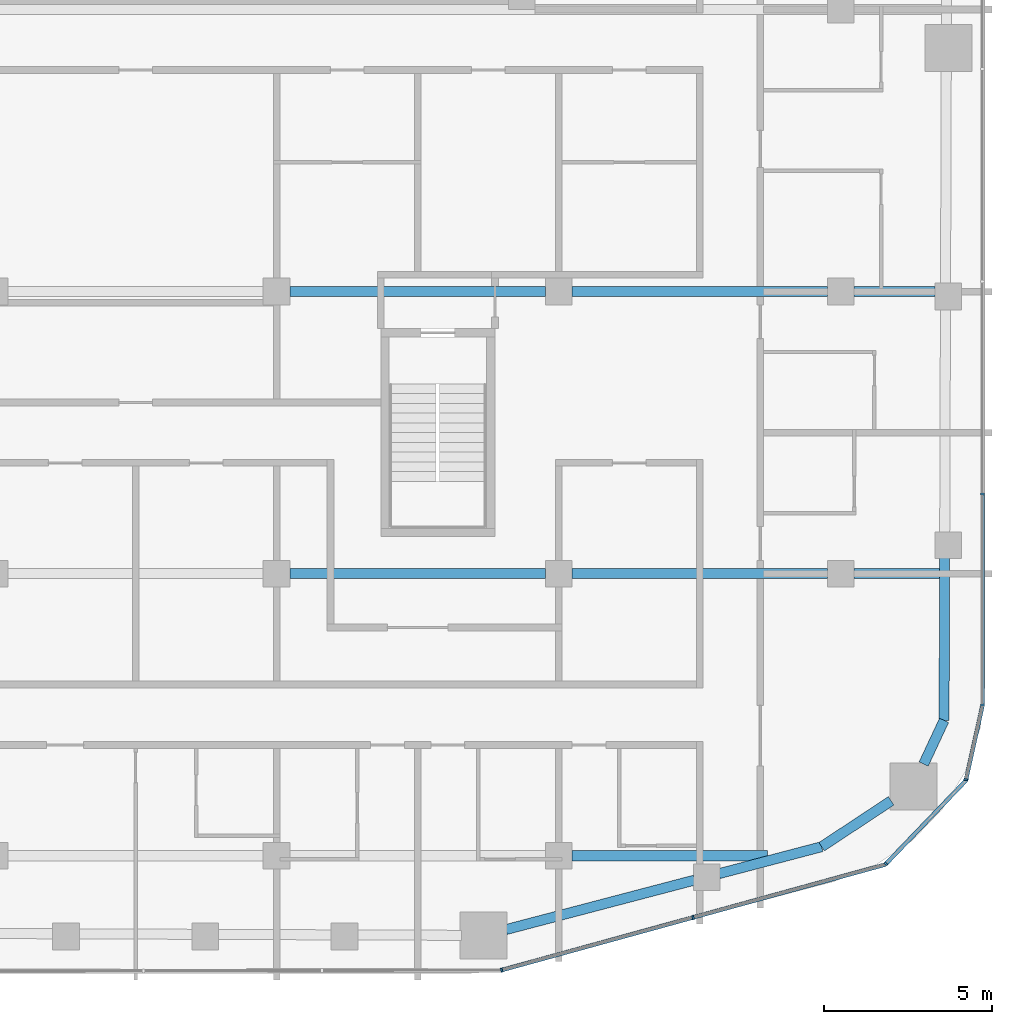
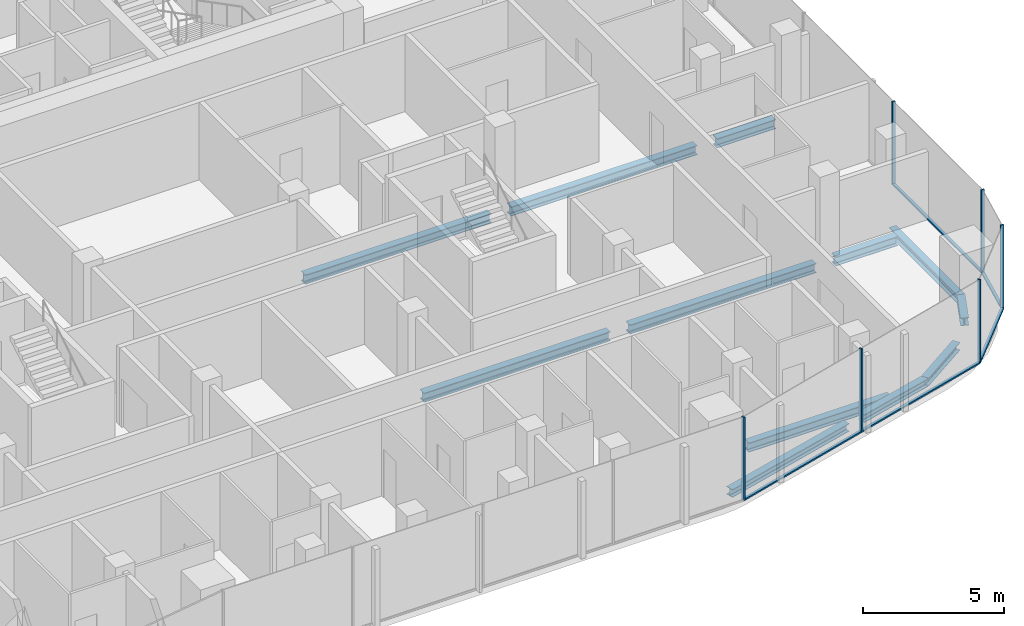
# One storey, part 6 of 22: 12 beams, 11 members, 4 elements without a shape of their own.
"""IFC4 building model written with IfcOpenShell, lengths in metres."""

from ifc_helpers import new_model, si_unit, direction, frame, origin, origin_2d, place, context, subcontext, project, spatial, rectangle, i_section, extrude, material, layer, layer_set, material_profile, profile_set, type_object, element, aggregate, save


model = new_model("IFC4")

# Units and contexts
model_context = context("Model", 3, precision=1e-05, world=origin(), true_north=direction((0.0, 1.0)))
body_context = subcontext(model_context, "Body", "Model", "MODEL_VIEW")
ifc_project = project(units=[si_unit("LENGTHUNIT", "METRE"), si_unit("AREAUNIT", "SQUARE_METRE"), si_unit("VOLUMEUNIT", "CUBIC_METRE"), si_unit("PLANEANGLEUNIT", "RADIAN"), si_unit("MASSUNIT", "GRAM", prefix="KILO")], contexts=[model_context])

# Site, building, storey
site_placement = place(None, origin())
site = spatial("IfcSite", under=ifc_project, at=site_placement, CompositionType="ELEMENT")
building_placement = place(site_placement, origin())
building = spatial("IfcBuilding", under=site, at=building_placement, Name="Marenta Gate Hotel Tower", CompositionType="ELEMENT")
storey_placement = place(building_placement, frame((0.0, 0.0, 223.699951171875)))
storey = spatial("IfcBuildingStorey", under=building, at=storey_placement, Name="L52", CompositionType="ELEMENT", Elevation=223.699951171875)

# Beams
ifc_material_1 = material(Name="Steel S355", Category="steel")
ifc_material_profile_1 = material_profile(ifc_material_1, i_section(OverallWidth=0.300048828125, OverallDepth=0.340087890625, WebThickness=0.011962890625, FlangeThickness=0.021484375, FilletRadius=0.027099609375, at=origin_2d()), Name="HEB 340")
ifc_profile_set_1 = profile_set([ifc_material_profile_1], Name="Steel S355")
beam_type_1 = type_object("IfcBeamType", Name="Edge beam HEB 340", PredefinedType="SPANDREL", material=ifc_profile_set_1)
beam_1_placement = place(storey_placement, frame((24.09130859375, -16.31201171875, -0.429931640625), z_axis=(-0.003318732666, -0.999994492992, 0.0), x_axis=(0.999994492992, -0.003318732666, 0.0)))
element("IfcBeam", 1, at=beam_1_placement, inside=storey, type_object=beam_type_1, Name="L52-EB-27", PredefinedType="SPANDREL", context=body_context, shape_type="SweptSolid", body=[
    extrude(i_section(OverallWidth=0.300048828125, OverallDepth=0.340087890625, WebThickness=0.011962890625, FlangeThickness=0.021484375, FilletRadius=0.027099609375, at=origin_2d()), origin(), (0.0, 0.0, 1.0), 4.855224609375),
])
beam_2_placement = place(storey_placement, frame((24.0751953125, -21.167236328125, -0.429931640625), z_axis=(-0.423341112024, -0.905970365338, 0.0), x_axis=(0.905970365338, -0.423341112024, 0.0)))
element("IfcBeam", 2, at=beam_2_placement, inside=storey, type_object=beam_type_1, Name="L52-EB-28", PredefinedType="SPANDREL", context=body_context, shape_type="SweptSolid", body=[
    extrude(i_section(OverallWidth=0.300048828125, OverallDepth=0.340087890625, WebThickness=0.011962890625, FlangeThickness=0.021484375, FilletRadius=0.027099609375, at=origin_2d()), origin(), (0.0, 0.0, 1.0), 1.437255859375),
])
beam_3_placement = place(storey_placement, frame((22.496337890625, -23.56640625, -0.429931640625), z_axis=(-0.834528740585, -0.550964410047, 0.0), x_axis=(0.550964410047, -0.834528740585, 0.0)))
element("IfcBeam", 3, at=beam_3_placement, inside=storey, type_object=beam_type_1, Name="L52-EB-29", PredefinedType="SPANDREL", context=body_context, shape_type="SweptSolid", body=[
    extrude(i_section(OverallWidth=0.300048828125, OverallDepth=0.340087890625, WebThickness=0.011962890625, FlangeThickness=0.021484375, FilletRadius=0.027099609375, at=origin_2d()), origin(), (0.0, 0.0, 1.0), 2.47705078125),
])
beam_4_placement = place(storey_placement, frame((20.42919921875, -24.93115234375, -0.429931640625), z_axis=(-0.967235227858, -0.253881889845, 0.0), x_axis=(0.253881889845, -0.967235227858, 0.0)))
element("IfcBeam", 4, at=beam_4_placement, inside=storey, type_object=beam_type_1, Name="L52-EB-30", PredefinedType="SPANDREL", context=body_context, shape_type="SweptSolid", body=[
    extrude(i_section(OverallWidth=0.300048828125, OverallDepth=0.340087890625, WebThickness=0.011962890625, FlangeThickness=0.021484375, FilletRadius=0.027099609375, at=origin_2d()), origin(), (0.0, 0.0, 1.0), 3.164794921875),
])
beam_5_placement = place(storey_placement, frame((16.6455078125, -25.92431640625, -0.429931640625), z_axis=(-0.96723496524, -0.253882890359, 0.0), x_axis=(0.253882890359, -0.96723496524, 0.0)))
element("IfcBeam", 5, at=beam_5_placement, inside=storey, type_object=beam_type_1, Name="L52-EB-31", PredefinedType="SPANDREL", context=body_context, shape_type="SweptSolid", body=[
    extrude(i_section(OverallWidth=0.300048828125, OverallDepth=0.340087890625, WebThickness=0.011962890625, FlangeThickness=0.021484375, FilletRadius=0.027099609375, at=origin_2d()), origin(), (0.0, 0.0, 1.0), 5.80810546875),
])
ifc_material_2 = material(Name="Steel S355", Category="steel")
ifc_material_profile_2 = material_profile(ifc_material_2, i_section(OverallWidth=0.300048828125, OverallDepth=0.39990234375, WebThickness=0.013427734375, FlangeThickness=0.02392578125, FilletRadius=0.027099609375, at=origin_2d()), Name="HEB 400")
ifc_profile_set_2 = profile_set([ifc_material_profile_2], Name="Steel S355")
beam_type_2 = type_object("IfcBeamType", Name="Girder HEB 400", PredefinedType="BEAM", material=ifc_profile_set_2)
beam_6_placement = place(storey_placement, frame((13.0, -25.199951171875, -0.4599609375), z_axis=(1.0, 0.0, 0.0), x_axis=(0.0, 1.0, 0.0)))
element("IfcBeam", 6, at=beam_6_placement, inside=storey, type_object=beam_type_2, Name="L52-GD-5", PredefinedType="BEAM", context=body_context, shape_type="SweptSolid", body=[
    extrude(i_section(OverallWidth=0.300048828125, OverallDepth=0.39990234375, WebThickness=0.013427734375, FlangeThickness=0.02392578125, FilletRadius=0.027099609375, at=origin_2d()), origin(), (0.0, 0.0, 1.0), 5.81396484375),
])
beam_7_placement = place(storey_placement, frame((4.60009765625, -16.800048828125, -0.4599609375), z_axis=(1.0, 0.0, 0.0), x_axis=(0.0, 1.0, 0.0)))
element("IfcBeam", 7, at=beam_7_placement, inside=storey, type_object=beam_type_2, Name="L52-GD-10", PredefinedType="BEAM", context=body_context, shape_type="SweptSolid", body=[
    extrude(i_section(OverallWidth=0.300048828125, OverallDepth=0.39990234375, WebThickness=0.013427734375, FlangeThickness=0.02392578125, FilletRadius=0.027099609375, at=origin_2d()), origin(), (0.0, 0.0, 1.0), 7.599853515625),
])
beam_8_placement = place(storey_placement, frame((13.0, -16.800048828125, -0.4599609375), z_axis=(1.0, 0.0, 0.0), x_axis=(0.0, 1.0, 0.0)))
element("IfcBeam", 8, at=beam_8_placement, inside=storey, type_object=beam_type_2, Name="L52-GD-11", PredefinedType="BEAM", context=body_context, shape_type="SweptSolid", body=[
    extrude(i_section(OverallWidth=0.300048828125, OverallDepth=0.39990234375, WebThickness=0.013427734375, FlangeThickness=0.02392578125, FilletRadius=0.027099609375, at=origin_2d()), origin(), (0.0, 0.0, 1.0), 7.60009765625),
])
beam_9_placement = place(storey_placement, frame((21.39990234375, -16.800048828125, -0.4599609375), z_axis=(1.0, 0.0, 0.0), x_axis=(0.0, 1.0, 0.0)))
element("IfcBeam", 9, at=beam_9_placement, inside=storey, type_object=beam_type_2, Name="L52-GD-12", PredefinedType="BEAM", context=body_context, shape_type="SweptSolid", body=[
    extrude(i_section(OverallWidth=0.300048828125, OverallDepth=0.39990234375, WebThickness=0.013427734375, FlangeThickness=0.02392578125, FilletRadius=0.027099609375, at=origin_2d()), origin(), (0.0, 0.0, 1.0), 2.539794921875),
])
beam_10_placement = place(storey_placement, frame((4.60009765625, -8.39990234375, -0.4599609375), z_axis=(1.0, 0.0, 0.0), x_axis=(0.0, 1.0, 0.0)))
element("IfcBeam", 10, at=beam_10_placement, inside=storey, type_object=beam_type_2, Name="L52-GD-17", PredefinedType="BEAM", context=body_context, shape_type="SweptSolid", body=[
    extrude(i_section(OverallWidth=0.300048828125, OverallDepth=0.39990234375, WebThickness=0.013427734375, FlangeThickness=0.02392578125, FilletRadius=0.027099609375, at=origin_2d()), origin(), (0.0, 0.0, 1.0), 7.599853515625),
])
beam_11_placement = place(storey_placement, frame((13.0, -8.39990234375, -0.4599609375), z_axis=(1.0, 0.0, 0.0), x_axis=(0.0, 1.0, 0.0)))
element("IfcBeam", 11, at=beam_11_placement, inside=storey, type_object=beam_type_2, Name="L52-GD-18", PredefinedType="BEAM", context=body_context, shape_type="SweptSolid", body=[
    extrude(i_section(OverallWidth=0.300048828125, OverallDepth=0.39990234375, WebThickness=0.013427734375, FlangeThickness=0.02392578125, FilletRadius=0.027099609375, at=origin_2d()), origin(), (0.0, 0.0, 1.0), 7.60009765625),
])
beam_12_placement = place(storey_placement, frame((21.39990234375, -8.39990234375, -0.4599609375), z_axis=(1.0, 0.0, 0.0), x_axis=(0.0, 1.0, 0.0)))
element("IfcBeam", 12, at=beam_12_placement, inside=storey, type_object=beam_type_2, Name="L52-GD-19", PredefinedType="BEAM", context=body_context, shape_type="SweptSolid", body=[
    extrude(i_section(OverallWidth=0.300048828125, OverallDepth=0.39990234375, WebThickness=0.013427734375, FlangeThickness=0.02392578125, FilletRadius=0.027099609375, at=origin_2d()), origin(), (0.0, 0.0, 1.0), 2.400146484375),
])

# Curtain wall, members
ifc_material_3 = material(Name="Tinted insulated glass in bronze anodised frame", Category="glass")
ifc_layer = layer(ifc_material_3, 0.1201171875)
ifc_layer_set = layer_set([ifc_layer], Name="Tinted insulated glass in bronze anodised frame")
curtain_wall_type = type_object("IfcCurtainWallType", Name="Tower unitised curtain wall CW1", PredefinedType="NOTDEFINED", material=ifc_layer_set)
curtain_wall_1_placement = place(storey_placement, origin())
curtain_wall_1 = element("IfcCurtainWall", 13, at=curtain_wall_1_placement, inside=storey, type_object=curtain_wall_type, Name="CW1 run G08", PredefinedType="NOTDEFINED")
ifc_material_4 = material(Name="Bronze anodised aluminium", Category="aluminium")
ifc_material_profile_3 = material_profile(ifc_material_4, rectangle(XDim=0.1201171875, YDim=0.06005859375, at=origin_2d()), Name="Mullion CW1 60x120 bronze anodised aluminium")
ifc_profile_set_3 = profile_set([ifc_material_profile_3], Name="Bronze anodised aluminium")
member_type_1 = type_object("IfcMemberType", Name="Mullion CW1 60x120 bronze anodised aluminium", PredefinedType="MULLION", material=ifc_profile_set_3)
member_1_placement = place(storey_placement, frame((10.902587890625, -28.6044921875, 0.0), z_axis=(0.0, 0.0, 1.0), x_axis=(-0.265293272675, 0.964167765212, 0.0)))
member_1 = element("IfcMember", 14, at=member_1_placement, type_object=member_type_1, Name="CW1 mullion 1", PredefinedType="MULLION", context=body_context, shape_type="SweptSolid", body=[
    extrude(rectangle(XDim=0.1201171875, YDim=0.06005859375, at=origin_2d()), origin(), (0.0, 0.0, 1.0), 3.60009765625),
])
member_2_placement = place(storey_placement, frame((16.599365234375, -27.037109375, 0.0), z_axis=(0.0, 0.0, 1.0), x_axis=(-0.265293272675, 0.964167765212, 0.0)))
member_2 = element("IfcMember", 15, at=member_2_placement, type_object=member_type_1, Name="CW1 mullion 2", PredefinedType="MULLION", context=body_context, shape_type="SweptSolid", body=[
    extrude(rectangle(XDim=0.1201171875, YDim=0.06005859375, at=origin_2d()), origin(), (0.0, 0.0, 1.0), 3.60009765625),
])

# Curtain wall, member
curtain_wall_2_placement = place(storey_placement, origin())
curtain_wall_2 = element("IfcCurtainWall", 16, at=curtain_wall_2_placement, inside=storey, type_object=curtain_wall_type, Name="CW1 run G09", PredefinedType="NOTDEFINED")
member_3_placement = place(storey_placement, frame((22.345458984375, -25.43994140625, 0.0), z_axis=(0.0, 0.0, 1.0), x_axis=(-0.72137172224, 0.692548076564, 0.0)))
member_3 = element("IfcMember", 17, at=member_3_placement, type_object=member_type_1, Name="CW1 mullion 1", PredefinedType="MULLION", context=body_context, shape_type="SweptSolid", body=[
    extrude(rectangle(XDim=0.1201171875, YDim=0.06005859375, at=origin_2d()), origin(), (0.0, 0.0, 1.0), 3.60009765625),
])

curtain_wall_3_placement = place(storey_placement, origin())
curtain_wall_3 = element("IfcCurtainWall", 18, at=curtain_wall_3_placement, inside=storey, type_object=curtain_wall_type, Name="CW1 run G10", PredefinedType="NOTDEFINED")
member_4_placement = place(storey_placement, frame((24.726806640625, -22.937255859375, 0.0), z_axis=(0.0, 0.0, 1.0), x_axis=(-0.97620669183, 0.216842096529, 0.0)))
member_4 = element("IfcMember", 19, at=member_4_placement, type_object=member_type_1, Name="CW1 mullion 1", PredefinedType="MULLION", context=body_context, shape_type="SweptSolid", body=[
    extrude(rectangle(XDim=0.1201171875, YDim=0.06005859375, at=origin_2d()), origin(), (0.0, 0.0, 1.0), 3.60009765625),
])

# Curtain wall, members
curtain_wall_4_placement = place(storey_placement, origin())
curtain_wall_4 = element("IfcCurtainWall", 20, at=curtain_wall_4_placement, inside=storey, type_object=curtain_wall_type, Name="CW1 run G11", PredefinedType="NOTDEFINED")
member_5_placement = place(storey_placement, frame((25.214111328125, -20.7138671875, 0.0), z_axis=(0.0, 0.0, 1.0), x_axis=(-1.0, 0.0, 0.0)))
member_5 = element("IfcMember", 21, at=member_5_placement, type_object=member_type_1, Name="CW1 mullion 1", PredefinedType="MULLION", context=body_context, shape_type="SweptSolid", body=[
    extrude(rectangle(XDim=0.1201171875, YDim=0.06005859375, at=origin_2d()), origin(), (0.0, 0.0, 1.0), 3.60009765625),
])
member_6_placement = place(storey_placement, frame((25.214111328125, -14.42138671875, 0.0), z_axis=(0.0, 0.0, 1.0), x_axis=(-1.0, 0.0, 0.0)))
member_6 = element("IfcMember", 22, at=member_6_placement, type_object=member_type_1, Name="CW1 mullion 2", PredefinedType="MULLION", context=body_context, shape_type="SweptSolid", body=[
    extrude(rectangle(XDim=0.1201171875, YDim=0.06005859375, at=origin_2d()), origin(), (0.0, 0.0, 1.0), 3.60009765625),
])

# Member
ifc_material_5 = material(Name="Bronze anodised aluminium", Category="aluminium")
ifc_material_profile_4 = material_profile(ifc_material_5, rectangle(XDim=0.1201171875, YDim=0.06005859375, at=origin_2d()), Name="Transom CW1 60x120 bronze anodised aluminium")
ifc_profile_set_4 = profile_set([ifc_material_profile_4], Name="Bronze anodised aluminium")
member_type_2 = type_object("IfcMemberType", Name="Transom CW1 60x120 bronze anodised aluminium", PredefinedType="USERDEFINED", material=ifc_profile_set_4)
member_7_placement = place(storey_placement, frame((10.931640625, -28.5966796875, 0.030029296875), z_axis=(0.964166959812, 0.265296199758, 0.0), x_axis=(-0.265296199758, 0.964166959812, 0.0)))
member_7 = element("IfcMember", 23, at=member_7_placement, type_object=member_type_2, Name="CW1 transom 1.1", ObjectType="TRANSOM", PredefinedType="USERDEFINED", context=body_context, shape_type="SweptSolid", body=[
    extrude(rectangle(XDim=0.1201171875, YDim=0.06005859375, at=origin_2d()), origin(), (0.0, 0.0, 1.0), 5.84814453125),
])

member_8_placement = place(storey_placement, frame((16.628173828125, -27.029052734375, 0.030029296875), z_axis=(0.964169199953, 0.265288058274, 0.0), x_axis=(-0.265288058274, 0.964169199953, 0.0)))
member_8 = element("IfcMember", 24, at=member_8_placement, type_object=member_type_2, Name="CW1 transom 2.1", ObjectType="TRANSOM", PredefinedType="USERDEFINED", context=body_context, shape_type="SweptSolid", body=[
    extrude(rectangle(XDim=0.1201171875, YDim=0.06005859375, at=origin_2d()), origin(), (0.0, 0.0, 1.0), 5.908203125),
])

aggregate(curtain_wall_1, [member_1, member_2, member_7, member_8])

member_9_placement = place(storey_placement, frame((22.366455078125, -25.41845703125, 0.030029296875), z_axis=(0.692521361505, 0.721397368903, 0.0), x_axis=(-0.721397368903, 0.692521361505, 0.0)))
member_9 = element("IfcMember", 25, at=member_9_placement, type_object=member_type_2, Name="CW1 transom 1.1", ObjectType="TRANSOM", PredefinedType="USERDEFINED", context=body_context, shape_type="SweptSolid", body=[
    extrude(rectangle(XDim=0.1201171875, YDim=0.06005859375, at=origin_2d()), origin(), (0.0, 0.0, 1.0), 3.39892578125),
])

aggregate(curtain_wall_2, [member_3, member_9])

member_10_placement = place(storey_placement, frame((24.7333984375, -22.907958984375, 0.030029296875), z_axis=(0.216848830219, 0.976205196069, 0.0), x_axis=(-0.976205196069, 0.216848830219, 0.0)))
member_10 = element("IfcMember", 26, at=member_10_placement, type_object=member_type_2, Name="CW1 transom 1.1", ObjectType="TRANSOM", PredefinedType="USERDEFINED", context=body_context, shape_type="SweptSolid", body=[
    extrude(rectangle(XDim=0.1201171875, YDim=0.06005859375, at=origin_2d()), origin(), (0.0, 0.0, 1.0), 2.216796875),
])

aggregate(curtain_wall_3, [member_4, member_10])

member_11_placement = place(storey_placement, frame((25.214111328125, -20.683837890625, 0.030029296875), z_axis=(0.0, 1.0, 0.0), x_axis=(-1.0, 0.0, 0.0)))
member_11 = element("IfcMember", 27, at=member_11_placement, type_object=member_type_2, Name="CW1 transom 1.1", ObjectType="TRANSOM", PredefinedType="USERDEFINED", context=body_context, shape_type="SweptSolid", body=[
    extrude(rectangle(XDim=0.1201171875, YDim=0.06005859375, at=origin_2d()), origin(), (0.0, 0.0, 1.0), 6.232666015625),
])

aggregate(curtain_wall_4, [member_5, member_6, member_11])

save(model, "model.ifc")
